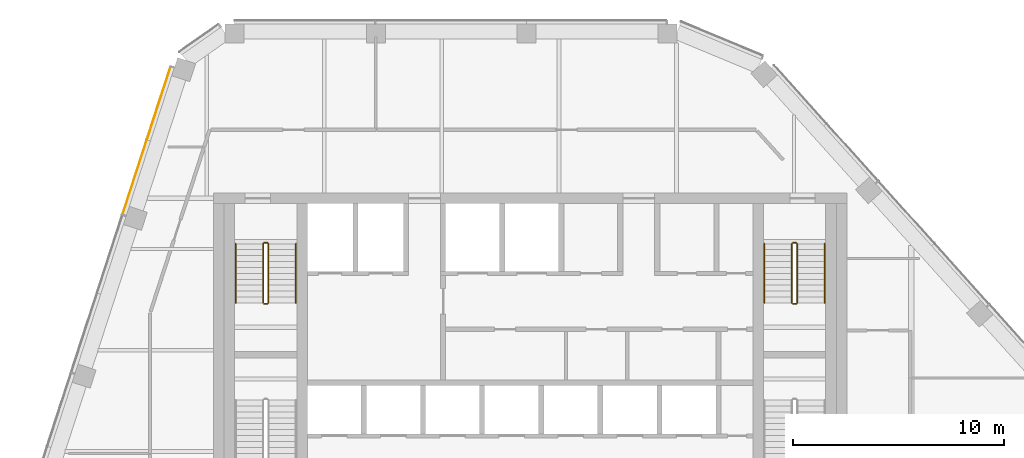
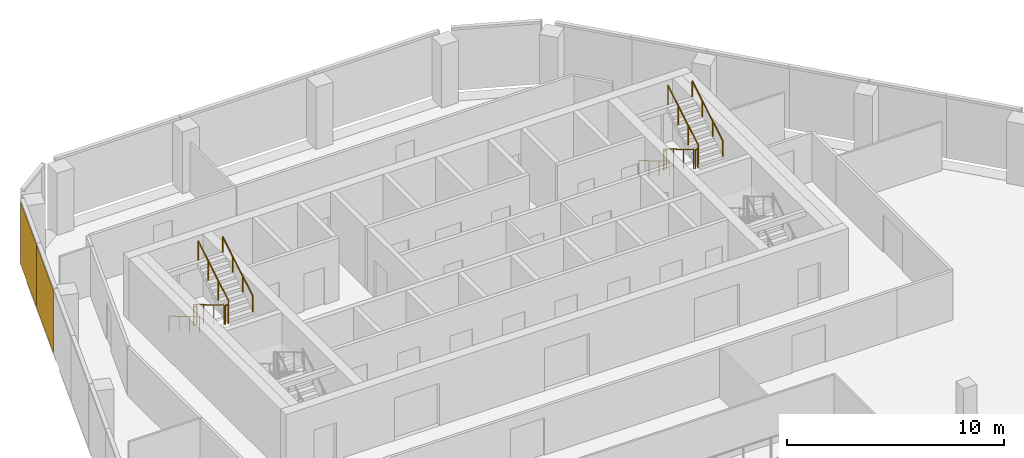
# One storey, part 14 of 15: 12 railings, 2 coverings, 1 element without a shape of its own.
"""IFC4 building model written with IfcOpenShell, lengths in metres."""

from ifc_helpers import new_model, si_unit, direction, frame, origin, origin_2d, place, context, subcontext, project, spatial, rectangle, circle, extrude, material, layer, layer_set, type_object, element, aggregate, save


model = new_model("IFC4")

# Units and contexts
model_context = context("Model", 3, precision=1e-05, world=origin(), true_north=direction((0.0, 1.0)))
body_context = subcontext(model_context, "Body", "Model", "MODEL_VIEW")
ifc_project = project(units=[si_unit("LENGTHUNIT", "METRE"), si_unit("AREAUNIT", "SQUARE_METRE"), si_unit("VOLUMEUNIT", "CUBIC_METRE"), si_unit("PLANEANGLEUNIT", "RADIAN"), si_unit("MASSUNIT", "GRAM", prefix="KILO")], contexts=[model_context])

# Site, building, storey
site_placement = place(None, origin())
site = spatial("IfcSite", under=ifc_project, at=site_placement, CompositionType="ELEMENT")
building_placement = place(site_placement, origin())
building = spatial("IfcBuilding", under=site, at=building_placement, Name="Isthmus Gate Tower", CompositionType="ELEMENT")
storey_placement = place(building_placement, frame((0.0, 0.0, 293.800048828125)))
storey = spatial("IfcBuildingStorey", under=building, at=storey_placement, Name="L75", CompositionType="ELEMENT", Elevation=293.800048828125)

# Curtain wall, coverings
ifc_material_1 = material(Name="Aluminium, pale champagne anodised", Category="aluminium")
ifc_layer_1 = layer(ifc_material_1, 0.199951171875)
ifc_layer_set_1 = layer_set([ifc_layer_1], Name="CW-1 UNITISED CURTAIN WALL 200 DEEP")
curtain_wall_type = type_object("IfcCurtainWallType", Name="CW-1 UNITISED CURTAIN WALL 200 DEEP", PredefinedType="NOTDEFINED", material=ifc_layer_set_1)
curtain_wall_placement = place(storey_placement, origin())
curtain_wall = element("IfcCurtainWall", 1, at=curtain_wall_placement, inside=storey, type_object=curtain_wall_type, Name="CW-1 NW L75", PredefinedType="NOTDEFINED")
ifc_material_2 = material(Name="Aluminium composite panel, pale champagne anodised", Category="aluminium")
ifc_layer_2 = layer(ifc_material_2, 0.031982421875)
ifc_layer_set_2 = layer_set([ifc_layer_2], Name="CW-1 PALE METAL PANEL 32")
covering_type = type_object("IfcCoveringType", Name="CW-1 PALE METAL PANEL 32", PredefinedType="CLADDING", material=ifc_layer_set_2)
covering_1_placement = place(storey_placement, frame((-17.592529296875, 19.254150390625, 0.0), z_axis=(0.0, 0.0, 1.0), x_axis=(-0.309016994375, -0.951056516295, 0.0)))
covering_1 = element("IfcCovering", 2, at=covering_1_placement, type_object=covering_type, Name="CW-1 pale metal panel", PredefinedType="CLADDING", context=body_context, shape_type="SweptSolid", body=[
    extrude(rectangle(XDim=3.643310546875, YDim=0.031982421875, at=origin_2d()), origin(), (0.0, 0.0, 1.0), 3.52001953125),
])
covering_2_placement = place(storey_placement, frame((-18.727783203125, 15.760498046875, 0.0), z_axis=(0.0, 0.0, 1.0), x_axis=(-0.309016994375, -0.951056516295, 0.0)))
covering_2 = element("IfcCovering", 3, at=covering_2_placement, type_object=covering_type, Name="CW-1 pale metal panel", PredefinedType="CLADDING", context=body_context, shape_type="SweptSolid", body=[
    extrude(rectangle(XDim=3.703369140625, YDim=0.031982421875, at=origin_2d()), origin(), (0.0, 0.0, 1.0), 3.52001953125),
])
aggregate(curtain_wall, [covering_1, covering_2])

# Railings
ifc_material_3 = material(Name="Stainless steel balustrade", Category="steel")
railing_type_1 = type_object("IfcRailingType", Name="STAIR GUARD 1100", PredefinedType="GUARDRAIL", material=ifc_material_3)
railing_1_placement = place(storey_placement, frame((-12.64990234375, 12.60009765625, 0.165771484375)))
element("IfcRailing", 4, at=railing_1_placement, inside=storey, type_object=railing_type_1, Name="L75 ST1 stair guard 1", PredefinedType="GUARDRAIL", context=body_context, shape_type="SweptSolid", body=[
    extrude(circle(Radius=0.02392578125, at=origin_2d()), frame((0.0, 0.0, 1.076171875), z_axis=(0.0, -0.860306154799, 0.50977771628), x_axis=(1.0, 0.0, 0.0)), (0.0, 0.0, 1.0), 3.254638671875),
    extrude(circle(Radius=0.02099609375, at=origin_2d()), origin(), (0.0, 0.0, 1.0), 1.052001953125),
    extrude(circle(Radius=0.02099609375, at=origin_2d()), frame((0.0, -0.933349609375, 0.552978515625)), (0.0, 0.0, 1.0), 1.052001953125),
    extrude(circle(Radius=0.02099609375, at=origin_2d()), frame((0.0, -1.86669921875, 1.106201171875)), (0.0, 0.0, 1.0), 1.052001953125),
    extrude(circle(Radius=0.02099609375, at=origin_2d()), frame((0.0, -2.800048828125, 1.6591796875)), (0.0, 0.0, 1.0), 1.052001953125),
])
railing_2_placement = place(storey_placement, frame((-12.60009765625, 9.75, 1.824951171875)))
element("IfcRailing", 5, at=railing_2_placement, inside=storey, type_object=railing_type_1, Name="L75 ST1 stair guard 2", PredefinedType="GUARDRAIL", context=body_context, shape_type="SweptSolid", body=[
    extrude(circle(Radius=0.02392578125, at=origin_2d()), frame((0.0, 0.0, 1.076171875), z_axis=(1.0, 0.0, 0.0), x_axis=(0.0, 1.0, 0.0)), (0.0, 0.0, 1.0), 0.150146484375),
    extrude(circle(Radius=0.02099609375, at=origin_2d()), origin(), (0.0, 0.0, 1.0), 1.052001953125),
    extrude(circle(Radius=0.02099609375, at=origin_2d()), frame((0.150146484375, 0.0, 0.0)), (0.0, 0.0, 1.0), 1.052001953125),
])
railing_3_placement = place(storey_placement, frame((-12.39990234375, 9.800048828125, 1.990966796875)))
element("IfcRailing", 6, at=railing_3_placement, inside=storey, type_object=railing_type_1, Name="L75 ST1 stair guard 3", PredefinedType="GUARDRAIL", context=body_context, shape_type="SweptSolid", body=[
    extrude(circle(Radius=0.02392578125, at=origin_2d()), frame((0.0, 0.0, 1.076171875), z_axis=(0.0, 0.860339051648, 0.50972219513), x_axis=(-1.0, 0.0, 0.0)), (0.0, 0.0, 1.0), 3.254638671875),
    extrude(circle(Radius=0.02099609375, at=origin_2d()), origin(), (0.0, 0.0, 1.0), 1.052001953125),
    extrude(circle(Radius=0.02099609375, at=origin_2d()), frame((0.0, 0.933349609375, 0.552978515625)), (0.0, 0.0, 1.0), 1.052001953125),
    extrude(circle(Radius=0.02099609375, at=origin_2d()), frame((0.0, 1.86669921875, 1.10595703125)), (0.0, 0.0, 1.0), 1.052001953125),
    extrude(circle(Radius=0.02099609375, at=origin_2d()), frame((0.0, 2.800048828125, 1.658935546875)), (0.0, 0.0, 1.0), 1.052001953125),
])
railing_4_placement = place(storey_placement, frame((-12.60009765625, 12.64990234375, 0.0)))
element("IfcRailing", 7, at=railing_4_placement, inside=storey, type_object=railing_type_1, Name="L75 ST1 stair guard 4", PredefinedType="GUARDRAIL", context=body_context, shape_type="SweptSolid", body=[
    extrude(circle(Radius=0.02392578125, at=origin_2d()), frame((0.0, 0.0, 1.076171875), z_axis=(1.0, 0.0, 0.0), x_axis=(0.0, 1.0, 0.0)), (0.0, 0.0, 1.0), 0.150146484375),
    extrude(circle(Radius=0.02099609375, at=origin_2d()), origin(), (0.0, 0.0, 1.0), 1.052001953125),
    extrude(circle(Radius=0.02099609375, at=origin_2d()), frame((0.150146484375, 0.0, 0.0)), (0.0, 0.0, 1.0), 1.052001953125),
])
railing_5_placement = place(storey_placement, frame((12.39990234375, 12.60009765625, 0.165771484375)))
element("IfcRailing", 8, at=railing_5_placement, inside=storey, type_object=railing_type_1, Name="L75 ST2 stair guard 1", PredefinedType="GUARDRAIL", context=body_context, shape_type="SweptSolid", body=[
    extrude(circle(Radius=0.02392578125, at=origin_2d()), frame((0.0, 0.0, 1.076171875), z_axis=(0.0, -0.860306154799, 0.50977771628), x_axis=(1.0, 0.0, 0.0)), (0.0, 0.0, 1.0), 3.254638671875),
    extrude(circle(Radius=0.02099609375, at=origin_2d()), origin(), (0.0, 0.0, 1.0), 1.052001953125),
    extrude(circle(Radius=0.02099609375, at=origin_2d()), frame((0.0, -0.933349609375, 0.552978515625)), (0.0, 0.0, 1.0), 1.052001953125),
    extrude(circle(Radius=0.02099609375, at=origin_2d()), frame((0.0, -1.86669921875, 1.106201171875)), (0.0, 0.0, 1.0), 1.052001953125),
    extrude(circle(Radius=0.02099609375, at=origin_2d()), frame((0.0, -2.800048828125, 1.6591796875)), (0.0, 0.0, 1.0), 1.052001953125),
])
railing_6_placement = place(storey_placement, frame((12.449951171875, 9.75, 1.824951171875)))
element("IfcRailing", 9, at=railing_6_placement, inside=storey, type_object=railing_type_1, Name="L75 ST2 stair guard 2", PredefinedType="GUARDRAIL", context=body_context, shape_type="SweptSolid", body=[
    extrude(circle(Radius=0.02392578125, at=origin_2d()), frame((0.0, 0.0, 1.076171875), z_axis=(1.0, 0.0, 0.0), x_axis=(0.0, 1.0, 0.0)), (0.0, 0.0, 1.0), 0.150146484375),
    extrude(circle(Radius=0.02099609375, at=origin_2d()), origin(), (0.0, 0.0, 1.0), 1.052001953125),
    extrude(circle(Radius=0.02099609375, at=origin_2d()), frame((0.150146484375, 0.0, 0.0)), (0.0, 0.0, 1.0), 1.052001953125),
])
railing_7_placement = place(storey_placement, frame((12.64990234375, 9.800048828125, 1.990966796875)))
element("IfcRailing", 10, at=railing_7_placement, inside=storey, type_object=railing_type_1, Name="L75 ST2 stair guard 3", PredefinedType="GUARDRAIL", context=body_context, shape_type="SweptSolid", body=[
    extrude(circle(Radius=0.02392578125, at=origin_2d()), frame((0.0, 0.0, 1.076171875), z_axis=(0.0, 0.860339051648, 0.50972219513), x_axis=(-1.0, 0.0, 0.0)), (0.0, 0.0, 1.0), 3.254638671875),
    extrude(circle(Radius=0.02099609375, at=origin_2d()), origin(), (0.0, 0.0, 1.0), 1.052001953125),
    extrude(circle(Radius=0.02099609375, at=origin_2d()), frame((0.0, 0.933349609375, 0.552978515625)), (0.0, 0.0, 1.0), 1.052001953125),
    extrude(circle(Radius=0.02099609375, at=origin_2d()), frame((0.0, 1.86669921875, 1.10595703125)), (0.0, 0.0, 1.0), 1.052001953125),
    extrude(circle(Radius=0.02099609375, at=origin_2d()), frame((0.0, 2.800048828125, 1.658935546875)), (0.0, 0.0, 1.0), 1.052001953125),
])
railing_8_placement = place(storey_placement, frame((12.449951171875, 12.64990234375, 0.0)))
element("IfcRailing", 11, at=railing_8_placement, inside=storey, type_object=railing_type_1, Name="L75 ST2 stair guard 4", PredefinedType="GUARDRAIL", context=body_context, shape_type="SweptSolid", body=[
    extrude(circle(Radius=0.02392578125, at=origin_2d()), frame((0.0, 0.0, 1.076171875), z_axis=(1.0, 0.0, 0.0), x_axis=(0.0, 1.0, 0.0)), (0.0, 0.0, 1.0), 0.150146484375),
    extrude(circle(Radius=0.02099609375, at=origin_2d()), origin(), (0.0, 0.0, 1.0), 1.052001953125),
    extrude(circle(Radius=0.02099609375, at=origin_2d()), frame((0.150146484375, 0.0, 0.0)), (0.0, 0.0, 1.0), 1.052001953125),
])
ifc_material_4 = material(Name="Stainless steel handrail", Category="steel")
railing_type_2 = type_object("IfcRailingType", Name="STAIR HANDRAIL 900", PredefinedType="HANDRAIL", material=ifc_material_4)
railing_9_placement = place(storey_placement, frame((-13.949951171875, 12.60009765625, 0.165771484375)))
element("IfcRailing", 12, at=railing_9_placement, inside=storey, type_object=railing_type_2, Name="L75 ST1 stair handrail 1", PredefinedType="HANDRAIL", context=body_context, shape_type="SweptSolid", body=[
    extrude(circle(Radius=0.02392578125, at=origin_2d()), frame((0.0, 0.0, 0.8759765625), z_axis=(0.0, -0.860306154799, 0.50977771628), x_axis=(1.0, 0.0, 0.0)), (0.0, 0.0, 1.0), 3.254638671875),
    extrude(circle(Radius=0.02099609375, at=origin_2d()), origin(), (0.0, 0.0, 1.0), 0.851806640625),
    extrude(circle(Radius=0.02099609375, at=origin_2d()), frame((0.0, -0.933349609375, 0.552978515625)), (0.0, 0.0, 1.0), 0.851806640625),
    extrude(circle(Radius=0.02099609375, at=origin_2d()), frame((0.0, -1.86669921875, 1.106201171875)), (0.0, 0.0, 1.0), 0.851806640625),
    extrude(circle(Radius=0.02099609375, at=origin_2d()), frame((0.0, -2.800048828125, 1.6591796875)), (0.0, 0.0, 1.0), 0.851806640625),
])
railing_10_placement = place(storey_placement, frame((-11.10009765625, 9.800048828125, 1.990966796875)))
element("IfcRailing", 13, at=railing_10_placement, inside=storey, type_object=railing_type_2, Name="L75 ST1 stair handrail 2", PredefinedType="HANDRAIL", context=body_context, shape_type="SweptSolid", body=[
    extrude(circle(Radius=0.02392578125, at=origin_2d()), frame((0.0, 0.0, 0.8759765625), z_axis=(0.0, 0.860339051648, 0.50972219513), x_axis=(-1.0, 0.0, 0.0)), (0.0, 0.0, 1.0), 3.254638671875),
    extrude(circle(Radius=0.02099609375, at=origin_2d()), origin(), (0.0, 0.0, 1.0), 0.851806640625),
    extrude(circle(Radius=0.02099609375, at=origin_2d()), frame((0.0, 0.933349609375, 0.552978515625)), (0.0, 0.0, 1.0), 0.851806640625),
    extrude(circle(Radius=0.02099609375, at=origin_2d()), frame((0.0, 1.86669921875, 1.10595703125)), (0.0, 0.0, 1.0), 0.851806640625),
    extrude(circle(Radius=0.02099609375, at=origin_2d()), frame((0.0, 2.800048828125, 1.658935546875)), (0.0, 0.0, 1.0), 0.851806640625),
])
railing_11_placement = place(storey_placement, frame((11.10009765625, 12.60009765625, 0.165771484375)))
element("IfcRailing", 14, at=railing_11_placement, inside=storey, type_object=railing_type_2, Name="L75 ST2 stair handrail 1", PredefinedType="HANDRAIL", context=body_context, shape_type="SweptSolid", body=[
    extrude(circle(Radius=0.02392578125, at=origin_2d()), frame((0.0, 0.0, 0.8759765625), z_axis=(0.0, -0.860306154799, 0.50977771628), x_axis=(1.0, 0.0, 0.0)), (0.0, 0.0, 1.0), 3.254638671875),
    extrude(circle(Radius=0.02099609375, at=origin_2d()), origin(), (0.0, 0.0, 1.0), 0.851806640625),
    extrude(circle(Radius=0.02099609375, at=origin_2d()), frame((0.0, -0.933349609375, 0.552978515625)), (0.0, 0.0, 1.0), 0.851806640625),
    extrude(circle(Radius=0.02099609375, at=origin_2d()), frame((0.0, -1.86669921875, 1.106201171875)), (0.0, 0.0, 1.0), 0.851806640625),
    extrude(circle(Radius=0.02099609375, at=origin_2d()), frame((0.0, -2.800048828125, 1.6591796875)), (0.0, 0.0, 1.0), 0.851806640625),
])
railing_12_placement = place(storey_placement, frame((13.949951171875, 9.800048828125, 1.990966796875)))
element("IfcRailing", 15, at=railing_12_placement, inside=storey, type_object=railing_type_2, Name="L75 ST2 stair handrail 2", PredefinedType="HANDRAIL", context=body_context, shape_type="SweptSolid", body=[
    extrude(circle(Radius=0.02392578125, at=origin_2d()), frame((0.0, 0.0, 0.8759765625), z_axis=(0.0, 0.860339051648, 0.50972219513), x_axis=(-1.0, 0.0, 0.0)), (0.0, 0.0, 1.0), 3.254638671875),
    extrude(circle(Radius=0.02099609375, at=origin_2d()), origin(), (0.0, 0.0, 1.0), 0.851806640625),
    extrude(circle(Radius=0.02099609375, at=origin_2d()), frame((0.0, 0.933349609375, 0.552978515625)), (0.0, 0.0, 1.0), 0.851806640625),
    extrude(circle(Radius=0.02099609375, at=origin_2d()), frame((0.0, 1.86669921875, 1.10595703125)), (0.0, 0.0, 1.0), 0.851806640625),
    extrude(circle(Radius=0.02099609375, at=origin_2d()), frame((0.0, 2.800048828125, 1.658935546875)), (0.0, 0.0, 1.0), 0.851806640625),
])

save(model, "model.ifc")
